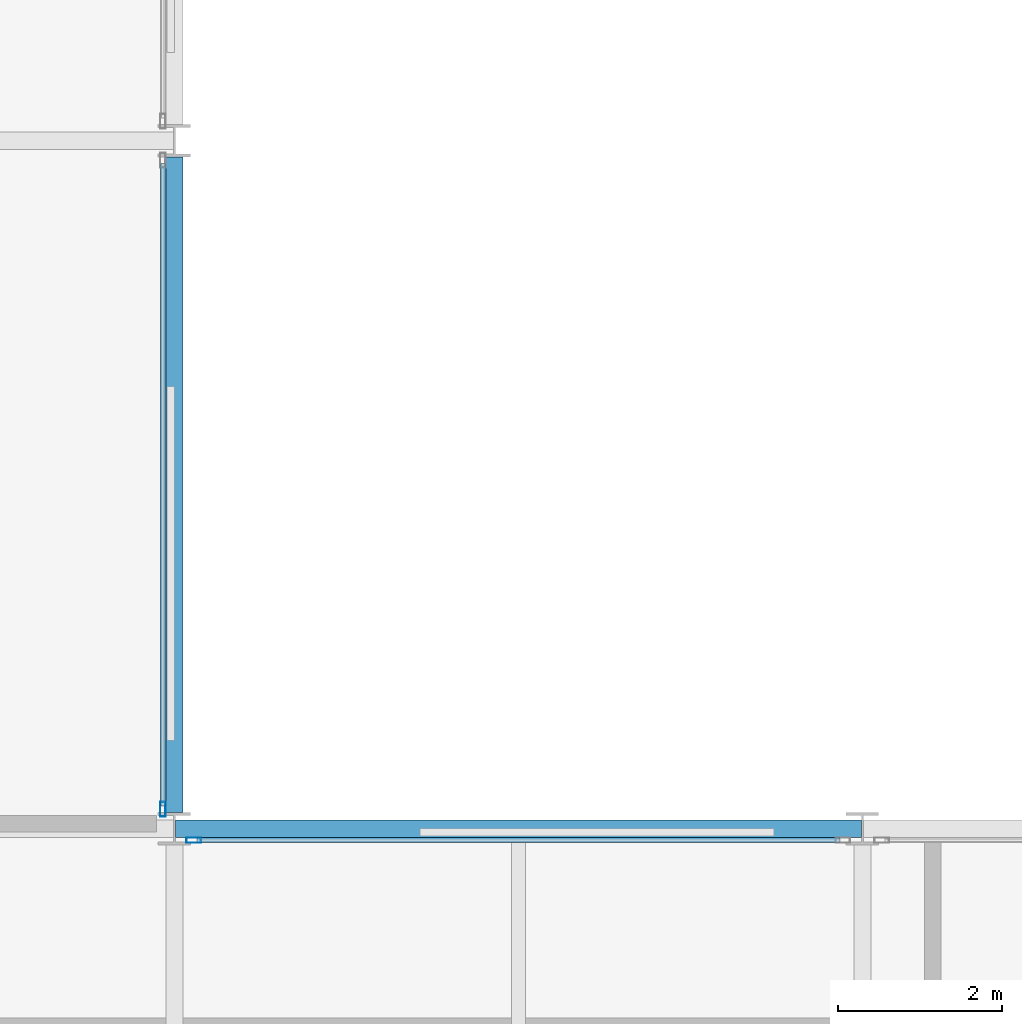
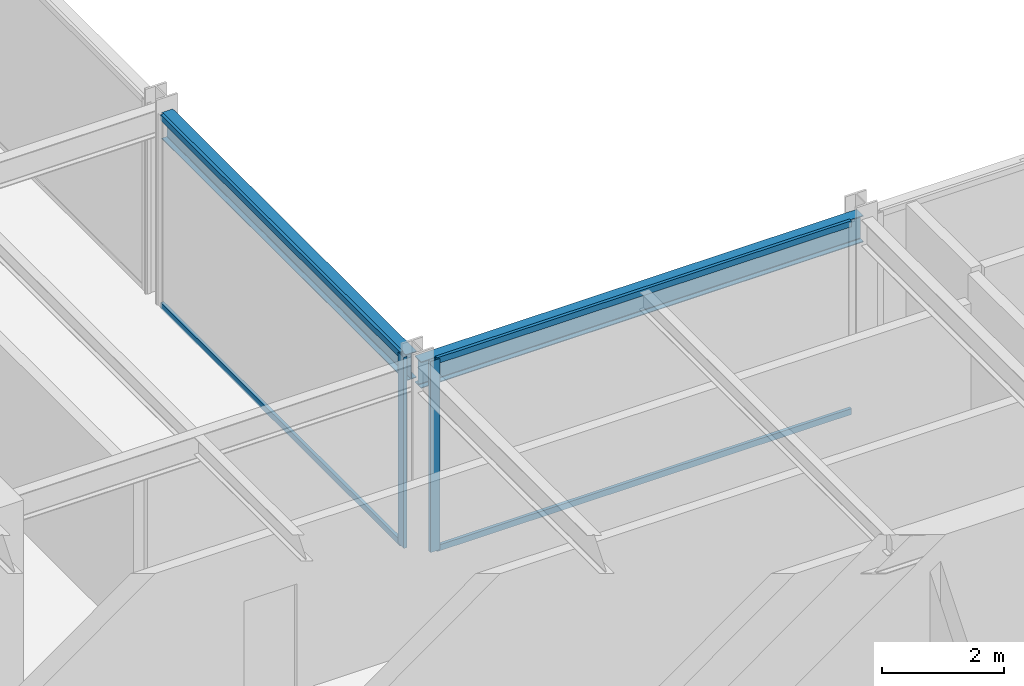
# One storey, part 15 of 38: 6 members, 2 beams, 2 elements without a shape of their own.
"""IFC4 building model written with IfcOpenShell, lengths in metres."""

from ifc_helpers import new_model, si_unit, direction, frame, origin, origin_2d, place, context, subcontext, project, spatial, hollow_rectangle, i_section, extrude, material, layer, layer_set, material_profile, profile_set, type_object, element, aggregate, save


model = new_model("IFC4")

# Units and contexts
model_context = context("Model", 3, precision=1e-05, world=origin(), true_north=direction((0.0, 1.0)))
body_context = subcontext(model_context, "Body", "Model", "MODEL_VIEW")
ifc_project = project(units=[si_unit("LENGTHUNIT", "METRE"), si_unit("AREAUNIT", "SQUARE_METRE"), si_unit("VOLUMEUNIT", "CUBIC_METRE"), si_unit("PLANEANGLEUNIT", "RADIAN"), si_unit("MASSUNIT", "GRAM", prefix="KILO")], contexts=[model_context])

# Site, building, storey
site_placement = place(None, origin())
site = spatial("IfcSite", under=ifc_project, at=site_placement, CompositionType="ELEMENT")
building_placement = place(site_placement, origin())
building = spatial("IfcBuilding", under=site, at=building_placement, Name="Nerrivon Quay Data Exchange", CompositionType="ELEMENT")
storey_placement = place(building_placement, frame((0.0, 0.0, 100.800048828125)))
storey = spatial("IfcBuildingStorey", under=building, at=storey_placement, Name="L23", CompositionType="ELEMENT", Elevation=100.800048828125)

# Beams
ifc_material_1 = material(Name="Steel Grade 350", Category="steel")
ifc_material_profile_1 = material_profile(ifc_material_1, i_section(OverallWidth=0.208984375, OverallDepth=0.532958984375, WebThickness=0.01025390625, FlangeThickness=0.015625, FilletRadius=0.013916015625, at=origin_2d()), Name="530UB92.4")
ifc_profile_set_1 = profile_set([ifc_material_profile_1], Name="Steel Grade 350")
beam_type_1 = type_object("IfcBeamType", Name="BM-G3-530UB92", PredefinedType="BEAM", material=ifc_profile_set_1)
beam_1_placement = place(storey_placement, frame((25.21240234375, 25.199951171875, 3.558349609375), z_axis=(1.0, 0.0, 0.0), x_axis=(0.0, 1.0, 0.0)))
element("IfcBeam", 1, at=beam_1_placement, inside=storey, type_object=beam_type_1, Name="L23 EW Girder Y=25.2 (25.2..33.6)", PredefinedType="BEAM", context=body_context, shape_type="SweptSolid", body=[
    extrude(i_section(OverallWidth=0.208984375, OverallDepth=0.532958984375, WebThickness=0.01025390625, FlangeThickness=0.015625, FilletRadius=0.013916015625, at=origin_2d()), origin(), (0.0, 0.0, 1.0), 8.375),
])
ifc_material_profile_2 = material_profile(ifc_material_1, i_section(OverallWidth=0.208984375, OverallDepth=0.528076171875, WebThickness=0.009521484375, FlangeThickness=0.01318359375, FilletRadius=0.013916015625, at=origin_2d()), Name="530UB82.0")
ifc_profile_set_2 = profile_set([ifc_material_profile_2], Name="Steel Grade 350")
beam_type_2 = type_object("IfcBeamType", Name="BM-G4-530UB82", PredefinedType="BEAM", material=ifc_profile_set_2)
beam_2_placement = place(storey_placement, frame((25.199951171875, 25.39990234375, 3.56103515625), z_axis=(0.0, 1.0, 0.0), x_axis=(-1.0, 0.0, 0.0)))
element("IfcBeam", 2, at=beam_2_placement, inside=storey, type_object=beam_type_2, Name="L23 NS Girder X=25.2 (25.2..33.6)", PredefinedType="BEAM", context=body_context, shape_type="SweptSolid", body=[
    extrude(i_section(OverallWidth=0.208984375, OverallDepth=0.528076171875, WebThickness=0.009521484375, FlangeThickness=0.01318359375, FilletRadius=0.013916015625, at=origin_2d()), origin(), (0.0, 0.0, 1.0), 8.0),
])

# Curtain wall, member
ifc_material_2 = material(Name="Anodised aluminium 6063-T6", Category="aluminium")
ifc_layer = layer(ifc_material_2, 0.2099609375)
ifc_layer_set = layer_set([ifc_layer], Name="Anodised aluminium 6063-T6")
curtain_wall_type = type_object("IfcCurtainWallType", Name="CW-SYS-02", PredefinedType="NOTDEFINED", material=ifc_layer_set)
curtain_wall_1_placement = place(storey_placement, origin())
curtain_wall_1 = element("IfcCurtainWall", 3, at=curtain_wall_1_placement, inside=storey, type_object=curtain_wall_type, Name="L23 Unitised Curtain Wall 31", PredefinedType="NOTDEFINED")
ifc_material_profile_3 = material_profile(ifc_material_2, hollow_rectangle(XDim=0.06494140625, YDim=0.179931640625, WallThickness=0.00341796875, at=origin_2d()), Name="ALU-MULL-180x65")
ifc_profile_set_3 = profile_set([ifc_material_profile_3], Name="Anodised aluminium 6063-T6")
member_type_1 = type_object("IfcMemberType", Name="CWM-180x65", PredefinedType="MULLION", material=ifc_profile_set_3)
member_1_placement = place(storey_placement, frame((25.06005859375, 25.4375, 0.0), z_axis=(0.0, 0.0, 1.0), x_axis=(1.0, 0.0, 0.0)))
member_1 = element("IfcMember", 4, at=member_1_placement, type_object=member_type_1, Name="CW02 mullion 2", PredefinedType="MULLION", context=body_context, shape_type="SweptSolid", body=[
    extrude(hollow_rectangle(XDim=0.06494140625, YDim=0.179931640625, WallThickness=0.00341796875, at=origin_2d()), origin(), (0.0, 0.0, 1.0), 3.824951171875),
])

curtain_wall_2_placement = place(storey_placement, origin())
curtain_wall_2 = element("IfcCurtainWall", 5, at=curtain_wall_2_placement, inside=storey, type_object=curtain_wall_type, Name="L23 Unitised Curtain Wall 32", PredefinedType="NOTDEFINED")
member_2_placement = place(storey_placement, frame((25.4375, 25.06005859375, 0.0), z_axis=(0.0, 0.0, 1.0), x_axis=(0.0, 1.0, 0.0)))
member_2 = element("IfcMember", 6, at=member_2_placement, type_object=member_type_1, Name="CW02 mullion 1", PredefinedType="MULLION", context=body_context, shape_type="SweptSolid", body=[
    extrude(hollow_rectangle(XDim=0.06494140625, YDim=0.179931640625, WallThickness=0.00341796875, at=origin_2d()), origin(), (0.0, 0.0, 1.0), 3.824951171875),
])

# Member
ifc_material_profile_4 = material_profile(ifc_material_2, hollow_rectangle(XDim=0.06005859375, YDim=0.1201171875, WallThickness=0.003173828125, at=origin_2d()), Name="ALU-TRAN-120x60")
ifc_profile_set_4 = profile_set([ifc_material_profile_4], Name="Anodised aluminium 6063-T6")
member_type_2 = type_object("IfcMemberType", Name="CWT-120x60", PredefinedType="USERDEFINED", material=ifc_profile_set_4)
member_3_placement = place(storey_placement, frame((25.06005859375, 33.324951171875, 0.032470703125), z_axis=(0.0, -1.0, 0.0), x_axis=(1.0, 0.0, 0.0)))
member_3 = element("IfcMember", 7, at=member_3_placement, type_object=member_type_2, Name="CW02 transom 1.1", ObjectType="TRANSOM", PredefinedType="USERDEFINED", context=body_context, shape_type="SweptSolid", body=[
    extrude(hollow_rectangle(XDim=0.06005859375, YDim=0.1201171875, WallThickness=0.003173828125, at=origin_2d()), origin(), (0.0, 0.0, 1.0), 7.849853515625),
])

member_4_placement = place(storey_placement, frame((25.06005859375, 33.324951171875, 3.79248046875), z_axis=(0.0, -1.0, 0.0), x_axis=(1.0, 0.0, 0.0)))
member_4 = element("IfcMember", 8, at=member_4_placement, type_object=member_type_2, Name="CW02 transom 1.2", ObjectType="TRANSOM", PredefinedType="USERDEFINED", context=body_context, shape_type="SweptSolid", body=[
    extrude(hollow_rectangle(XDim=0.06005859375, YDim=0.1201171875, WallThickness=0.003173828125, at=origin_2d()), origin(), (0.0, 0.0, 1.0), 7.849853515625),
])

aggregate(curtain_wall_1, [member_1, member_3, member_4])

member_5_placement = place(storey_placement, frame((25.47509765625, 25.06005859375, 0.032470703125), z_axis=(1.0, 0.0, 0.0), x_axis=(0.0, 1.0, 0.0)))
member_5 = element("IfcMember", 9, at=member_5_placement, type_object=member_type_2, Name="CW02 transom 1.1", ObjectType="TRANSOM", PredefinedType="USERDEFINED", context=body_context, shape_type="SweptSolid", body=[
    extrude(hollow_rectangle(XDim=0.06005859375, YDim=0.1201171875, WallThickness=0.003173828125, at=origin_2d()), origin(), (0.0, 0.0, 1.0), 7.849853515625),
])

member_6_placement = place(storey_placement, frame((25.47509765625, 25.06005859375, 3.79248046875), z_axis=(1.0, 0.0, 0.0), x_axis=(0.0, 1.0, 0.0)))
member_6 = element("IfcMember", 10, at=member_6_placement, type_object=member_type_2, Name="CW02 transom 1.2", ObjectType="TRANSOM", PredefinedType="USERDEFINED", context=body_context, shape_type="SweptSolid", body=[
    extrude(hollow_rectangle(XDim=0.06005859375, YDim=0.1201171875, WallThickness=0.003173828125, at=origin_2d()), origin(), (0.0, 0.0, 1.0), 7.849853515625),
])

aggregate(curtain_wall_2, [member_2, member_5, member_6])

save(model, "model.ifc")
